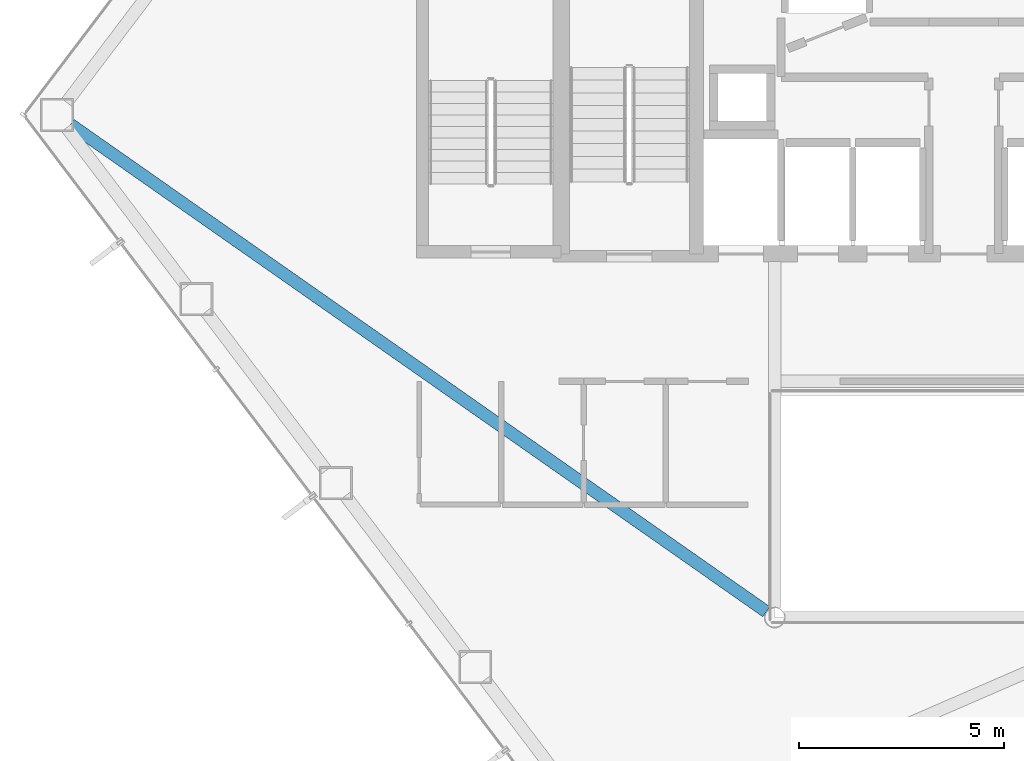
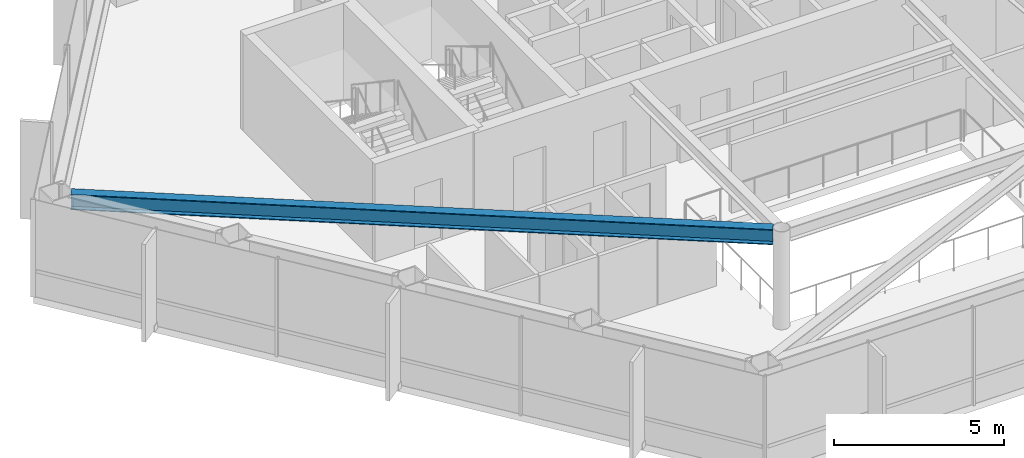
# One storey, part 5 of 28: 1 beam.
"""IFC4 building model written with IfcOpenShell, lengths in metres."""

from ifc_helpers import new_model, si_unit, direction, frame, origin, origin_2d, place, context, subcontext, project, spatial, i_section, extrude, material, material_profile, profile_set, type_object, element, save


model = new_model("IFC4")

# Units and contexts
model_context = context("Model", 3, precision=1e-05, world=origin(), true_north=direction((0.0, 1.0)))
body_context = subcontext(model_context, "Body", "Model", "MODEL_VIEW")
ifc_project = project(units=[si_unit("LENGTHUNIT", "METRE"), si_unit("AREAUNIT", "SQUARE_METRE"), si_unit("VOLUMEUNIT", "CUBIC_METRE"), si_unit("PLANEANGLEUNIT", "RADIAN"), si_unit("MASSUNIT", "GRAM", prefix="KILO")], contexts=[model_context])

# Site, building, storey
site_placement = place(None, origin())
site = spatial("IfcSite", under=ifc_project, at=site_placement, CompositionType="ELEMENT")
building_placement = place(site_placement, origin())
building = spatial("IfcBuilding", under=site, at=building_placement, Name="Zarrinselat Tower", CompositionType="ELEMENT")
storey_placement = place(building_placement, frame((0.0, 0.0, 127.159912109375)))
storey = spatial("IfcBuildingStorey", under=building, at=storey_placement, Name="L30", CompositionType="ELEMENT", Elevation=127.159912109375)

# Beam
ifc_material = material(Name="Steel S355J2", Category="steel")
ifc_material_profile = material_profile(ifc_material, i_section(OverallWidth=0.300048828125, OverallDepth=0.550048828125, WebThickness=0.014892578125, FlangeThickness=0.029052734375, at=origin_2d()), Name="HEB 550")
ifc_profile_set = profile_set([ifc_material_profile], Name="Steel S355J2")
beam_type = type_object("IfcBeamType", Name="BM-HEB550", PredefinedType="BEAM", material=ifc_profile_set)
beam_placement = place(storey_placement, frame((16.664306640625, 36.398193359375, 3.22509765625), z_axis=(0.819161437758, -0.573563020854, 0.0), x_axis=(0.573563020854, 0.819161437758, 0.0)))
element("IfcBeam", 1, at=beam_placement, inside=storey, type_object=beam_type, Name="L30 Radial Primary Girder RG06", PredefinedType="BEAM", context=body_context, shape_type="SweptSolid", body=[
    extrude(i_section(OverallWidth=0.300048828125, OverallDepth=0.550048828125, WebThickness=0.014892578125, FlangeThickness=0.029052734375, at=origin_2d()), origin(), (0.0, 0.0, 1.0), 20.668701171875),
])

save(model, "model.ifc")
